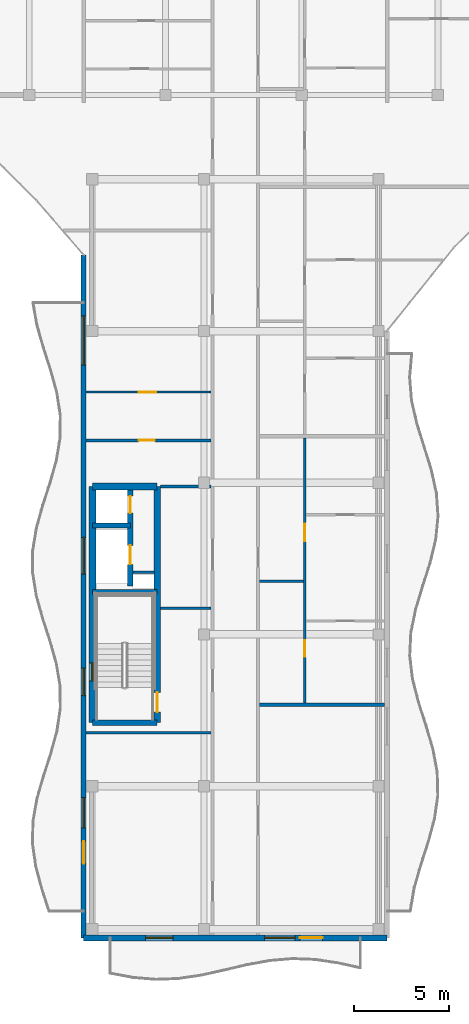
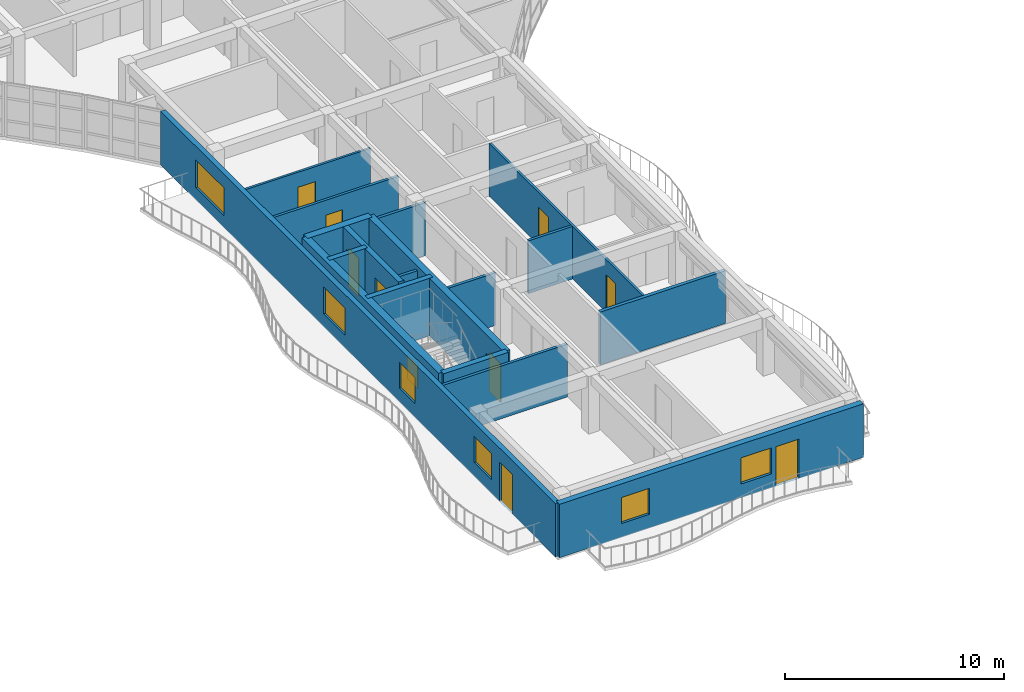
# One storey, part 38 of 76: 18 walls, 9 doors, 7 windows, 16 openings.
"""IFC4 building model written with IfcOpenShell, lengths in metres."""

from ifc_helpers import new_model, si_unit, direction, frame, frame_2d, origin, place, context, subcontext, project, spatial, rectangle, extrude, material, layer, layer_set, type_object, element, fill, save


model = new_model("IFC4")

# Units and contexts
model_context = context("Model", 3, precision=1e-05, world=origin(), true_north=direction((0.0, 1.0)))
body_context = subcontext(model_context, "Body", "Model", "MODEL_VIEW")
ifc_project = project(units=[si_unit("LENGTHUNIT", "METRE"), si_unit("AREAUNIT", "SQUARE_METRE"), si_unit("VOLUMEUNIT", "CUBIC_METRE"), si_unit("PLANEANGLEUNIT", "RADIAN"), si_unit("MASSUNIT", "GRAM", prefix="KILO")], contexts=[model_context])

# Site, building, storey
site_placement = place(None, origin())
site = spatial("IfcSite", under=ifc_project, at=site_placement, CompositionType="ELEMENT")
building_placement = place(site_placement, origin())
building = spatial("IfcBuilding", under=site, at=building_placement, Name="Keldmere Railside Commons", CompositionType="ELEMENT")
storey_placement = place(building_placement, frame((0.0, 0.0, 13.760009765625)))
storey = spatial("IfcBuildingStorey", under=building, at=storey_placement, Name="L04", CompositionType="ELEMENT", Elevation=13.760009765625)

# Wall
ifc_material_1 = material(Name="Acoustic Gypsum Board Partition", Category="gypsum")
ifc_layer_1 = layer(ifc_material_1, 0.179931640625, Name="Acoustic Demising Partition 180")
ifc_layer_set_1 = layer_set([ifc_layer_1], Name="Acoustic Gypsum Board Partition")
wall_type_1 = type_object("IfcWallType", Name="Acoustic Demising Partition 180", PredefinedType="PARTITIONING", material=ifc_layer_set_1)
wall_1_placement = place(storey_placement, frame((113.280029296875, 68.2900390625, 0.0), z_axis=(0.0, 0.0, 1.0), x_axis=(1.0, 0.0, 0.0)))
element("IfcWall", 1, at=wall_1_placement, inside=storey, type_object=wall_type_1, Name="IW-1 IW-L04-1063", PredefinedType="PARTITIONING", context=body_context, shape_type="SweptSolid", body=[
    extrude(rectangle(XDim=6.590087890625, YDim=0.179931640625, at=frame_2d((3.294921875, 0.0))), origin(), (0.0, 0.0, 1.0), 2.93505859375),
])

# Wall, openings, doors
ifc_layer_2 = layer(ifc_material_1, 0.1201171875, Name="Apartment Interior Partition 120")
ifc_layer_set_2 = layer_set([ifc_layer_2], Name="Acoustic Gypsum Board Partition")
wall_type_2 = type_object("IfcWallType", Name="Apartment Interior Partition 120", PredefinedType="PARTITIONING", material=ifc_layer_set_2)
wall_2_placement = place(storey_placement, frame((115.659912109375, 68.3798828125, 0.0), z_axis=(0.0, 0.0, 1.0), x_axis=(0.0, 1.0, 0.0)))
wall_2 = element("IfcWall", 2, at=wall_2_placement, inside=storey, type_object=wall_type_2, Name="IW-4 IW-L04-1066", PredefinedType="PARTITIONING", context=body_context, shape_type="SweptSolid", body=[
    extrude(rectangle(XDim=13.980224609375, YDim=0.1201171875, at=frame_2d((6.990234375, 0.0))), origin(), (0.0, 0.0, 1.0), 2.93505859375),
])
opening_1_placement = place(wall_2_placement, frame((2.443359375, 0.0, 0.0)))
opening_1 = element("IfcOpeningElement", 3, at=opening_1_placement, cuts=wall_2, Name="Opening ID-04", PredefinedType="OPENING", context=body_context, shape_type="SweptSolid", body=[
    extrude(rectangle(XDim=0.860107421875, YDim=2.10009765625, at=frame_2d((0.43017578125, 1.050048828125))), frame((0.0, 0.070068359375, 0.0), z_axis=(0.0, -1.0, 0.0), x_axis=(1.0, 0.0, 0.0)), (0.0, 0.0, 1.0), 0.14013671875),
])
opening_2_placement = place(wall_2_placement, frame((8.5439453125, 0.0, 0.0)))
opening_2 = element("IfcOpeningElement", 4, at=opening_2_placement, cuts=wall_2, Name="Opening ID-03", PredefinedType="OPENING", context=body_context, shape_type="SweptSolid", body=[
    extrude(rectangle(XDim=0.919921875, YDim=2.10009765625, at=frame_2d((0.4599609375, 1.050048828125))), frame((0.0, 0.070068359375, 0.0), z_axis=(0.0, -1.0, 0.0), x_axis=(1.0, 0.0, 0.0)), (0.0, 0.0, 1.0), 0.14013671875),
])
ifc_material_2 = material(Name="Engineered Oak Timber", Category="wood")
door_type_1 = type_object("IfcDoorType", Name="Apartment Bathroom Door 860x2100", OperationType="NOTDEFINED", PredefinedType="DOOR", material=ifc_material_2)
door_1_placement = place(opening_1_placement, origin())
door_1 = element("IfcDoor", 5, at=door_1_placement, inside=storey, type_object=door_type_1, Name="ID-04 IDR-L04-0930", OperationType="SINGLE_SWING_RIGHT", OverallHeight=2.10009765625, OverallWidth=0.860107421875, PredefinedType="DOOR", context=body_context, shape_type="SweptSolid", body=[
    extrude(rectangle(XDim=0.860107421875, YDim=2.10009765625, at=frame_2d((0.43017578125, 1.050048828125))), frame((0.0, 0.02490234375, 0.0), z_axis=(0.0, -1.0, 0.0), x_axis=(1.0, 0.0, 0.0)), (0.0, 0.0, 1.0), 0.050048828125),
])
fill(opening_1, door_1)
door_type_2 = type_object("IfcDoorType", Name="Kitchen Pocket-Frame Swing Door 920x2100", OperationType="NOTDEFINED", PredefinedType="DOOR", material=ifc_material_2)
door_2_placement = place(opening_2_placement, origin())
door_2 = element("IfcDoor", 6, at=door_2_placement, inside=storey, type_object=door_type_2, Name="ID-03 IDR-L04-0931", OperationType="SINGLE_SWING_LEFT", OverallHeight=2.10009765625, OverallWidth=0.919921875, PredefinedType="DOOR", context=body_context, shape_type="SweptSolid", body=[
    extrude(rectangle(XDim=0.919921875, YDim=2.10009765625, at=frame_2d((0.4599609375, 1.050048828125))), frame((0.0, 0.02490234375, 0.0), z_axis=(0.0, -1.0, 0.0), x_axis=(1.0, 0.0, 0.0)), (0.0, 0.0, 1.0), 0.050048828125),
])
fill(opening_2, door_2)

# Wall, opening, door
wall_3_placement = place(storey_placement, frame((104.1298828125, 84.780029296875, 0.0), z_axis=(0.0, 0.0, 1.0), x_axis=(1.0, 0.0, 0.0)))
wall_3 = element("IfcWall", 7, at=wall_3_placement, inside=storey, type_object=wall_type_2, Name="IW-4 IW-L04-1089", PredefinedType="PARTITIONING", context=body_context, shape_type="SweptSolid", body=[
    extrude(rectangle(XDim=6.590087890625, YDim=0.1201171875, at=frame_2d((3.294921875, 0.0))), origin(), (0.0, 0.0, 1.0), 2.93505859375),
])
opening_3_placement = place(wall_3_placement, frame((2.767822265625, 0.0, 0.0)))
opening_3 = element("IfcOpeningElement", 8, at=opening_3_placement, cuts=wall_3, Name="Opening ID-03", PredefinedType="OPENING", context=body_context, shape_type="SweptSolid", body=[
    extrude(rectangle(XDim=0.919921875, YDim=2.10009765625, at=frame_2d((0.4599609375, 1.050048828125))), frame((0.0, 0.070068359375, 0.0), z_axis=(0.0, -1.0, 0.0), x_axis=(1.0, 0.0, 0.0)), (0.0, 0.0, 1.0), 0.14013671875),
])
door_3_placement = place(opening_3_placement, origin())
door_3 = element("IfcDoor", 9, at=door_3_placement, inside=storey, type_object=door_type_2, Name="ID-03 IDR-L04-0960", OperationType="SINGLE_SWING_RIGHT", OverallHeight=2.10009765625, OverallWidth=0.919921875, PredefinedType="DOOR", context=body_context, shape_type="SweptSolid", body=[
    extrude(rectangle(XDim=0.919921875, YDim=2.10009765625, at=frame_2d((0.4599609375, 1.050048828125))), frame((0.0, 0.02490234375, 0.0), z_axis=(0.0, -1.0, 0.0), x_axis=(1.0, 0.0, 0.0)), (0.0, 0.0, 1.0), 0.050048828125),
])
fill(opening_3, door_3)

# Walls
ifc_material_3 = material(Name="Concrete H-35 (C35/45)", Category="concrete")
ifc_layer_3 = layer(ifc_material_3, 0.280029296875, Name="Core Shear Wall 280")
ifc_layer_set_3 = layer_set([ifc_layer_3], Name="Concrete H-35 (C35/45)")
wall_type_3 = type_object("IfcWallType", Name="Core Shear Wall 280", PredefinedType="SHEAR", material=ifc_layer_set_3)
wall_4_placement = place(storey_placement, frame((104.4599609375, 74.239990234375, 0.0), z_axis=(0.0, 0.0, 1.0), x_axis=(1.0, 0.0, 0.0)))
element("IfcWall", 10, at=wall_4_placement, inside=storey, type_object=wall_type_3, Name="CSW-2 COREBM-L04-0484", PredefinedType="SHEAR", context=body_context, shape_type="SweptSolid", body=[
    extrude(rectangle(XDim=3.41015625, YDim=0.280029296875, at=frame_2d((1.705078125, 0.0))), origin(), (0.0, 0.0, 1.0), 3.199951171875),
])
wall_5_placement = place(storey_placement, frame((104.4599609375, 77.75, 0.0), z_axis=(0.0, 0.0, 1.0), x_axis=(1.0, 0.0, 0.0)))
element("IfcWall", 11, at=wall_5_placement, inside=storey, type_object=wall_type_3, Name="CSW-2 COREBL-L04-0485", PredefinedType="SHEAR", context=body_context, shape_type="SweptSolid", body=[
    extrude(rectangle(XDim=2.0, YDim=0.280029296875, at=frame_2d((1.0, 0.0))), origin(), (0.0, 0.0, 1.0), 3.199951171875),
])

# Wall, openings, doors
wall_6_placement = place(storey_placement, frame((106.4599609375, 74.550048828125, 0.0), z_axis=(0.0, 0.0, 1.0), x_axis=(0.0, 1.0, 0.0)))
wall_6 = element("IfcWall", 12, at=wall_6_placement, inside=storey, type_object=wall_type_3, Name="CSW-2 LSHB-L04-0486", PredefinedType="SHEAR", context=body_context, shape_type="SweptSolid", body=[
    extrude(rectangle(XDim=5.25, YDim=0.280029296875, at=frame_2d((2.625, 0.0))), origin(), (0.0, 0.0, 1.0), 3.199951171875),
])
opening_4_placement = place(wall_6_placement, frame((1.14990234375, 0.0, 0.0)))
opening_4 = element("IfcOpeningElement", 13, at=opening_4_placement, cuts=wall_6, Name="Opening LD-1", PredefinedType="OPENING", context=body_context, shape_type="SweptSolid", body=[
    extrude(rectangle(XDim=1.0, YDim=2.14990234375, at=frame_2d((0.5, 1.074951171875))), frame((0.0, 0.14990234375, 0.0), z_axis=(0.0, -1.0, 0.0), x_axis=(1.0, 0.0, 0.0)), (0.0, 0.0, 1.0), 0.300048828125),
])
opening_5_placement = place(wall_6_placement, frame((3.85009765625, 0.0, 0.0)))
opening_5 = element("IfcOpeningElement", 14, at=opening_5_placement, cuts=wall_6, Name="Opening LD-2", PredefinedType="OPENING", context=body_context, shape_type="SweptSolid", body=[
    extrude(rectangle(XDim=0.89990234375, YDim=2.14990234375, at=frame_2d((0.449951171875, 1.074951171875))), frame((0.0, 0.14990234375, 0.0), z_axis=(0.0, -1.0, 0.0), x_axis=(1.0, 0.0, 0.0)), (0.0, 0.0, 1.0), 0.300048828125),
])
ifc_material_4 = material(Name="Steel F-24 (S235)", Category="steel")
door_type_3 = type_object("IfcDoorType", Name="Firefighting Stretcher Lift Landing Door 1000x2150", OperationType="SLIDING_TO_LEFT", PredefinedType="DOOR", material=ifc_material_4)
door_4_placement = place(opening_4_placement, origin())
door_4 = element("IfcDoor", 15, at=door_4_placement, inside=storey, type_object=door_type_3, Name="LD-1 B L04", OperationType="SLIDING_TO_LEFT", OverallHeight=2.14990234375, OverallWidth=1.0, PredefinedType="DOOR", context=body_context, shape_type="SweptSolid", body=[
    extrude(rectangle(XDim=1.0, YDim=2.14990234375, at=frame_2d((0.5, 1.074951171875))), frame((0.0, 0.02490234375, 0.0), z_axis=(0.0, -1.0, 0.0), x_axis=(1.0, 0.0, 0.0)), (0.0, 0.0, 1.0), 0.050048828125),
])
fill(opening_4, door_4)
door_type_4 = type_object("IfcDoorType", Name="Passenger Lift Sliding Landing Door 900x2150", OperationType="SLIDING_TO_RIGHT", PredefinedType="DOOR", material=ifc_material_4)
door_5_placement = place(opening_5_placement, origin())
door_5 = element("IfcDoor", 16, at=door_5_placement, inside=storey, type_object=door_type_4, Name="LD-2 B L04", OperationType="SLIDING_TO_RIGHT", OverallHeight=2.14990234375, OverallWidth=0.89990234375, PredefinedType="DOOR", context=body_context, shape_type="SweptSolid", body=[
    extrude(rectangle(XDim=0.89990234375, YDim=2.14990234375, at=frame_2d((0.449951171875, 1.074951171875))), frame((0.0, 0.02490234375, 0.0), z_axis=(0.0, -1.0, 0.0), x_axis=(1.0, 0.0, 0.0)), (0.0, 0.0, 1.0), 0.050048828125),
])
fill(opening_5, door_5)

# Wall, opening, window
ifc_material_5 = material(Name="Concrete H-40 (C40/50)", Category="concrete")
ifc_layer_4 = layer(ifc_material_5, 0.3798828125, Name="Core Shear Wall 380")
ifc_layer_set_4 = layer_set([ifc_layer_4], Name="Concrete H-40 (C40/50)")
wall_type_4 = type_object("IfcWallType", Name="Core Shear Wall 380", PredefinedType="SHEAR", material=ifc_layer_set_4)
wall_7_placement = place(storey_placement, frame((104.4599609375, 67.35009765625, 0.0), z_axis=(0.0, 0.0, 1.0), x_axis=(0.0, 1.0, 0.0)))
wall_7 = element("IfcWall", 17, at=wall_7_placement, inside=storey, type_object=wall_type_4, Name="CW-CORE COREBW-L04-0480", PredefinedType="SHEAR", context=body_context, shape_type="SweptSolid", body=[
    extrude(rectangle(XDim=12.449951171875, YDim=0.3798828125, at=frame_2d((6.22509765625, 0.0))), origin(), (0.0, 0.0, 1.0), 3.199951171875),
])
opening_6_placement = place(wall_7_placement, frame((2.199951171875, 0.0, 0.969970703125)))
opening_6 = element("IfcOpeningElement", 18, at=opening_6_placement, cuts=wall_7, Name="Opening WN-17", PredefinedType="OPENING", context=body_context, shape_type="SweptSolid", body=[
    extrude(rectangle(XDim=0.949951171875, YDim=1.25, at=frame_2d((0.47509765625, 0.625))), frame((0.0, 0.199951171875, 0.0), z_axis=(0.0, -1.0, 0.0), x_axis=(1.0, 0.0, 0.0)), (0.0, 0.0, 1.0), 0.39990234375),
])
ifc_material_6 = material(Name="Low-E Insulated Double Glazing", Category="glass")
window_type_1 = type_object("IfcWindowType", Name="Stair Core Natural Smoke-Vent Window 950x1250", PartitioningType="SINGLE_PANEL", PredefinedType="WINDOW", material=ifc_material_6)
window_1_placement = place(opening_6_placement, origin())
window_1 = element("IfcWindow", 19, at=window_1_placement, inside=storey, type_object=window_type_1, Name="WN-17 WIN-L04-0341", OverallHeight=1.25, OverallWidth=0.949951171875, PartitioningType="SINGLE_PANEL", PredefinedType="WINDOW", context=body_context, shape_type="SweptSolid", body=[
    extrude(rectangle(XDim=0.949951171875, YDim=1.25, at=frame_2d((0.47509765625, 0.625))), frame((0.0, 0.030029296875, 0.0), z_axis=(0.0, -1.0, 0.0), x_axis=(1.0, 0.0, 0.0)), (0.0, 0.0, 1.0), 0.06005859375),
])
fill(opening_6, window_1)

# Wall
wall_8_placement = place(storey_placement, frame((104.4599609375, 79.800048828125, 0.0), z_axis=(0.0, 0.0, 1.0), x_axis=(1.0, 0.0, 0.0)))
element("IfcWall", 20, at=wall_8_placement, inside=storey, type_object=wall_type_4, Name="CW-CORE COREBN-L04-0481", PredefinedType="SHEAR", context=body_context, shape_type="SweptSolid", body=[
    extrude(rectangle(XDim=3.41015625, YDim=0.3798828125, at=frame_2d((1.705078125, 0.0))), origin(), (0.0, 0.0, 1.0), 3.199951171875),
])

# Wall, openings, door, windows
ifc_layer_5 = layer(ifc_material_3, 0.320068359375, Name="Exterior Shear Wall 320")
ifc_layer_set_5 = layer_set([ifc_layer_5], Name="Concrete H-35 (C35/45)")
wall_type_5 = type_object("IfcWallType", Name="Exterior Shear Wall 320", PredefinedType="SHEAR", material=ifc_layer_set_5)
wall_9_placement = place(storey_placement, frame((120.0, 56.0, 0.0), z_axis=(0.0, 0.0, 1.0), x_axis=(-1.0, 0.0, 0.0)))
wall_9 = element("IfcWall", 21, at=wall_9_placement, inside=storey, type_object=wall_type_5, Name="ESW-2 EXTB-L04-0611", PredefinedType="SHEAR", context=body_context, shape_type="SweptSolid", body=[
    extrude(rectangle(XDim=16.0, YDim=0.320068359375, at=frame_2d((8.0, 0.0))), origin(), (0.0, 0.0, 1.0), 2.97998046875),
])
opening_7_placement = place(wall_9_placement, frame((3.39990234375, 0.0, 0.0)))
opening_7 = element("IfcOpeningElement", 22, at=opening_7_placement, cuts=wall_9, Name="Opening BD-01", PredefinedType="OPENING", context=body_context, shape_type="SweptSolid", body=[
    extrude(rectangle(XDim=1.199951171875, YDim=2.199951171875, at=frame_2d((0.60009765625, 1.10009765625))), frame((0.0, 0.169921875, 0.0), z_axis=(0.0, -1.0, 0.0), x_axis=(1.0, 0.0, 0.0)), (0.0, 0.0, 1.0), 0.340087890625),
])
opening_8_placement = place(wall_9_placement, frame((4.85009765625, 0.0, 0.77001953125)))
opening_8 = element("IfcOpeningElement", 23, at=opening_8_placement, cuts=wall_9, Name="Opening WN-04", PredefinedType="OPENING", context=body_context, shape_type="SweptSolid", body=[
    extrude(rectangle(XDim=1.60009765625, YDim=1.449951171875, at=frame_2d((0.800048828125, 0.72509765625))), frame((0.0, 0.169921875, 0.0), z_axis=(0.0, -1.0, 0.0), x_axis=(1.0, 0.0, 0.0)), (0.0, 0.0, 1.0), 0.340087890625),
])
opening_9_placement = place(wall_9_placement, frame((11.27490234375, 0.0, 0.77001953125)))
opening_9 = element("IfcOpeningElement", 24, at=opening_9_placement, cuts=wall_9, Name="Opening WN-24", PredefinedType="OPENING", context=body_context, shape_type="SweptSolid", body=[
    extrude(rectangle(XDim=1.449951171875, YDim=1.449951171875, at=frame_2d((0.72509765625, 0.72509765625))), frame((0.0, 0.169921875, 0.0), z_axis=(0.0, -1.0, 0.0), x_axis=(1.0, 0.0, 0.0)), (0.0, 0.0, 1.0), 0.340087890625),
])
ifc_material_7 = material(Name="Thermally Broken Aluminium", Category="aluminium")
door_type_5 = type_object("IfcDoorType", Name="Apartment Living Wave-Balcony Glazed Door 1200x2200", OperationType="NOTDEFINED", PredefinedType="DOOR", material=ifc_material_7)
door_6_placement = place(opening_7_placement, origin())
door_6 = element("IfcDoor", 25, at=door_6_placement, inside=storey, type_object=door_type_5, Name="BD-01 DR-L04-0152", OperationType="SINGLE_SWING_RIGHT", OverallHeight=2.199951171875, OverallWidth=1.199951171875, PredefinedType="DOOR", context=body_context, shape_type="SweptSolid", body=[
    extrude(rectangle(XDim=1.199951171875, YDim=2.199951171875, at=frame_2d((0.60009765625, 1.10009765625))), frame((0.0, 0.02490234375, 0.0), z_axis=(0.0, -1.0, 0.0), x_axis=(1.0, 0.0, 0.0)), (0.0, 0.0, 1.0), 0.050048828125),
])
fill(opening_7, door_6)
window_type_2 = type_object("IfcWindowType", Name="Living Room West Shaded Window 1600x1450", PartitioningType="SINGLE_PANEL", PredefinedType="WINDOW", material=ifc_material_6)
window_2_placement = place(opening_8_placement, origin())
window_2 = element("IfcWindow", 26, at=window_2_placement, inside=storey, type_object=window_type_2, Name="WN-04 WIN-L04-0417", OverallHeight=1.449951171875, OverallWidth=1.60009765625, PartitioningType="SINGLE_PANEL", PredefinedType="WINDOW", context=body_context, shape_type="SweptSolid", body=[
    extrude(rectangle(XDim=1.60009765625, YDim=1.449951171875, at=frame_2d((0.800048828125, 0.72509765625))), frame((0.0, 0.030029296875, 0.0), z_axis=(0.0, -1.0, 0.0), x_axis=(1.0, 0.0, 0.0)), (0.0, 0.0, 1.0), 0.06005859375),
])
fill(opening_8, window_2)
window_type_3 = type_object("IfcWindowType", Name="Setback Terrace Bedroom Window 1450x1450", PartitioningType="SINGLE_PANEL", PredefinedType="WINDOW", material=ifc_material_6)
window_3_placement = place(opening_9_placement, origin())
window_3 = element("IfcWindow", 27, at=window_3_placement, inside=storey, type_object=window_type_3, Name="WN-24 WIN-L04-0418", OverallHeight=1.449951171875, OverallWidth=1.449951171875, PartitioningType="SINGLE_PANEL", PredefinedType="WINDOW", context=body_context, shape_type="SweptSolid", body=[
    extrude(rectangle(XDim=1.449951171875, YDim=1.449951171875, at=frame_2d((0.72509765625, 0.72509765625))), frame((0.0, 0.030029296875, 0.0), z_axis=(0.0, -1.0, 0.0), x_axis=(1.0, 0.0, 0.0)), (0.0, 0.0, 1.0), 0.06005859375),
])
fill(opening_9, window_3)

# Wall
ifc_layer_6 = layer(ifc_material_3, 0.300048828125, Name="Interior Shear Wall 300")
ifc_layer_set_6 = layer_set([ifc_layer_6], Name="Concrete H-35 (C35/45)")
wall_type_6 = type_object("IfcWallType", Name="Interior Shear Wall 300", PredefinedType="SHEAR", material=ifc_layer_set_6)
wall_10_placement = place(storey_placement, frame((107.8701171875, 67.35009765625, 0.0), z_axis=(0.0, 0.0, 1.0), x_axis=(-1.0, 0.0, 0.0)))
element("IfcWall", 28, at=wall_10_placement, inside=storey, type_object=wall_type_6, Name="ISW-2 COREBS-L04-0483", PredefinedType="SHEAR", context=body_context, shape_type="SweptSolid", body=[
    extrude(rectangle(XDim=3.41015625, YDim=0.300048828125, at=frame_2d((1.705078125, 0.0))), origin(), (0.0, 0.0, 1.0), 3.199951171875),
])

# Wall, opening, door
ifc_layer_7 = layer(ifc_material_3, 0.340087890625, Name="Interior Shear Wall 340")
ifc_layer_set_7 = layer_set([ifc_layer_7], Name="Concrete H-35 (C35/45)")
wall_type_7 = type_object("IfcWallType", Name="Interior Shear Wall 340", PredefinedType="SHEAR", material=ifc_layer_set_7)
wall_11_placement = place(storey_placement, frame((107.8701171875, 79.800048828125, 0.0), z_axis=(0.0, 0.0, 1.0), x_axis=(0.0, -1.0, 0.0)))
wall_11 = element("IfcWall", 29, at=wall_11_placement, inside=storey, type_object=wall_type_7, Name="ISW-1 COREBE-L04-0482", PredefinedType="SHEAR", context=body_context, shape_type="SweptSolid", body=[
    extrude(rectangle(XDim=12.449951171875, YDim=0.340087890625, at=frame_2d((6.22509765625, 0.0))), origin(), (0.0, 0.0, 1.0), 3.199951171875),
])
opening_10_placement = place(wall_11_placement, frame((10.85009765625, 0.0, 0.0)))
opening_10 = element("IfcOpeningElement", 30, at=opening_10_placement, cuts=wall_11, Name="Opening FD-1", PredefinedType="OPENING", context=body_context, shape_type="SweptSolid", body=[
    extrude(rectangle(XDim=1.050048828125, YDim=2.14990234375, at=frame_2d((0.52490234375, 1.074951171875))), frame((0.0, 0.179931640625, 0.0), z_axis=(0.0, -1.0, 0.0), x_axis=(1.0, 0.0, 0.0)), (0.0, 0.0, 1.0), 0.360107421875),
])
door_type_6 = type_object("IfcDoorType", Name="Stair Core Fire Door 1050x2150", OperationType="NOTDEFINED", PredefinedType="DOOR", material=ifc_material_4)
door_7_placement = place(opening_10_placement, origin())
door_7 = element("IfcDoor", 31, at=door_7_placement, inside=storey, type_object=door_type_6, Name="FD-1 B1 L04", OperationType="SINGLE_SWING_LEFT", OverallHeight=2.14990234375, OverallWidth=1.050048828125, PredefinedType="DOOR", context=body_context, shape_type="SweptSolid", body=[
    extrude(rectangle(XDim=1.050048828125, YDim=2.14990234375, at=frame_2d((0.52490234375, 1.074951171875))), frame((0.0, 0.02490234375, 0.0), z_axis=(0.0, -1.0, 0.0), x_axis=(1.0, 0.0, 0.0)), (0.0, 0.0, 1.0), 0.050048828125),
])
fill(opening_10, door_7)

# Walls
ifc_layer_8 = layer(ifc_material_1, 0.14990234375, Name="Lobby Rated Partition 150")
ifc_layer_set_8 = layer_set([ifc_layer_8], Name="Acoustic Gypsum Board Partition")
wall_type_8 = type_object("IfcWallType", Name="Lobby Rated Partition 150", PredefinedType="PARTITIONING", material=ifc_layer_set_8)
wall_12_placement = place(storey_placement, frame((106.60009765625, 75.280029296875, 0.0), z_axis=(0.0, 0.0, 1.0), x_axis=(1.0, 0.0, 0.0)))
element("IfcWall", 32, at=wall_12_placement, inside=storey, type_object=wall_type_8, Name="IW-3 RSRNB-L04-0487", PredefinedType="PARTITIONING", context=body_context, shape_type="SweptSolid", body=[
    extrude(rectangle(XDim=1.1298828125, YDim=0.14990234375, at=frame_2d((0.56494140625, 0.0))), origin(), (0.0, 0.0, 1.0), 2.949951171875),
])
wall_13_placement = place(storey_placement, frame((104.1298828125, 66.820068359375, 0.0), z_axis=(0.0, 0.0, 1.0), x_axis=(1.0, 0.0, 0.0)))
element("IfcWall", 33, at=wall_13_placement, inside=storey, type_object=wall_type_8, Name="IW-3 IW-L04-1051", PredefinedType="PARTITIONING", context=body_context, shape_type="SweptSolid", body=[
    extrude(rectangle(XDim=6.590087890625, YDim=0.14990234375, at=frame_2d((3.294921875, 0.0))), origin(), (0.0, 0.0, 1.0), 2.93505859375),
])
for number, where, z_axis, x_axis, name in (
    (34, (108.0400390625, 73.3798828125, 0.0), (0.0, 0.0, 1.0), (1.0, 0.0, 0.0), "IW-3 IW-L04-1052"),
    (35, (108.0400390625, 79.800048828125, 0.0), (0.0, 0.0, 1.0), (1.0, 0.0, 0.0), "IW-3 IW-L04-1053"),
):
    element("IfcWall", number, at=place(storey_placement, frame(where, z_axis=z_axis, x_axis=x_axis)), inside=storey, type_object=wall_type_8, Name=name, PredefinedType="PARTITIONING", context=body_context, shape_type="SweptSolid", body=[
        extrude(rectangle(XDim=2.679931640625, YDim=0.14990234375, at=frame_2d((1.33984375, 0.0))), origin(), (0.0, 0.0, 1.0), 2.93505859375),
    ])

# Wall, openings, windows, door
ifc_material_8 = material(Name="Terracotta Brick Masonry", Category="masonry")
ifc_layer_9 = layer(ifc_material_8, 0.260009765625, Name="Terracotta Cavity Wall 260")
ifc_layer_set_9 = layer_set([ifc_layer_9], Name="Terracotta Brick Masonry")
wall_type_9 = type_object("IfcWallType", Name="Terracotta Cavity Wall 260", PredefinedType="SOLIDWALL", material=ifc_layer_set_9)
wall_14_placement = place(storey_placement, frame((104.0, 56.0, 0.0), z_axis=(0.0, 0.0, 1.0), x_axis=(0.0, 1.0, 0.0)))
wall_14 = element("IfcWall", 36, at=wall_14_placement, inside=storey, type_object=wall_type_9, Name="EW-1 EXTB-L04-0618", PredefinedType="SOLIDWALL", context=body_context, shape_type="SweptSolid", body=[
    extrude(rectangle(XDim=36.0, YDim=0.260009765625, at=frame_2d((18.0, 0.0))), origin(), (0.0, 0.0, 1.0), 2.97998046875),
])
opening_11_placement = place(wall_14_placement, frame((3.89990234375, 0.0, 0.0)))
opening_11 = element("IfcOpeningElement", 37, at=opening_11_placement, cuts=wall_14, Name="Opening BD-01", PredefinedType="OPENING", context=body_context, shape_type="SweptSolid", body=[
    extrude(rectangle(XDim=1.199951171875, YDim=2.199951171875, at=frame_2d((0.60009765625, 1.10009765625))), frame((0.0, 0.139892578125, 0.0), z_axis=(0.0, -1.0, 0.0), x_axis=(1.0, 0.0, 0.0)), (0.0, 0.0, 1.0), 0.280029296875),
])
opening_12_placement = place(wall_14_placement, frame((5.800048828125, 0.0, 0.77001953125)))
opening_12 = element("IfcOpeningElement", 38, at=opening_12_placement, cuts=wall_14, Name="Opening WN-04", PredefinedType="OPENING", context=body_context, shape_type="SweptSolid", body=[
    extrude(rectangle(XDim=1.60009765625, YDim=1.449951171875, at=frame_2d((0.800048828125, 0.72509765625))), frame((0.0, 0.139892578125, 0.0), z_axis=(0.0, -1.0, 0.0), x_axis=(1.0, 0.0, 0.0)), (0.0, 0.0, 1.0), 0.280029296875),
])
opening_13_placement = place(wall_14_placement, frame((12.77490234375, 0.0, 0.77001953125)))
opening_13 = element("IfcOpeningElement", 39, at=opening_13_placement, cuts=wall_14, Name="Opening WN-24", PredefinedType="OPENING", context=body_context, shape_type="SweptSolid", body=[
    extrude(rectangle(XDim=1.449951171875, YDim=1.449951171875, at=frame_2d((0.72509765625, 0.72509765625))), frame((0.0, 0.139892578125, 0.0), z_axis=(0.0, -1.0, 0.0), x_axis=(1.0, 0.0, 0.0)), (0.0, 0.0, 1.0), 0.280029296875),
])
opening_14_placement = place(wall_14_placement, frame((19.175048828125, 0.0, 0.719970703125)))
opening_14 = element("IfcOpeningElement", 40, at=opening_14_placement, cuts=wall_14, Name="Opening WN-38", PredefinedType="OPENING", context=body_context, shape_type="SweptSolid", body=[
    extrude(rectangle(XDim=1.949951171875, YDim=1.5, at=frame_2d((0.97509765625, 0.75))), frame((0.0, 0.139892578125, 0.0), z_axis=(0.0, -1.0, 0.0), x_axis=(1.0, 0.0, 0.0)), (0.0, 0.0, 1.0), 0.280029296875),
])
opening_15_placement = place(wall_14_placement, frame((30.199951171875, 0.0, 0.669921875)))
opening_15 = element("IfcOpeningElement", 41, at=opening_15_placement, cuts=wall_14, Name="Opening WN-39", PredefinedType="OPENING", context=body_context, shape_type="SweptSolid", body=[
    extrude(rectangle(XDim=2.60009765625, YDim=1.550048828125, at=frame_2d((1.300048828125, 0.77490234375))), frame((0.0, 0.139892578125, 0.0), z_axis=(0.0, -1.0, 0.0), x_axis=(1.0, 0.0, 0.0)), (0.0, 0.0, 1.0), 0.280029296875),
])
window_type_4 = type_object("IfcWindowType", Name="Adaptable Apartment Wide Window 1950x1500", PartitioningType="SINGLE_PANEL", PredefinedType="WINDOW", material=ifc_material_6)
window_4_placement = place(opening_14_placement, origin())
window_4 = element("IfcWindow", 42, at=window_4_placement, inside=storey, type_object=window_type_4, Name="WN-38 WIN-L04-0434", OverallHeight=1.5, OverallWidth=1.949951171875, PartitioningType="SINGLE_PANEL", PredefinedType="WINDOW", context=body_context, shape_type="SweptSolid", body=[
    extrude(rectangle(XDim=1.949951171875, YDim=1.5, at=frame_2d((0.97509765625, 0.75))), frame((0.0, 0.030029296875, 0.0), z_axis=(0.0, -1.0, 0.0), x_axis=(1.0, 0.0, 0.0)), (0.0, 0.0, 1.0), 0.06005859375),
])
fill(opening_14, window_4)
door_8_placement = place(opening_11_placement, origin())
door_8 = element("IfcDoor", 43, at=door_8_placement, inside=storey, type_object=door_type_5, Name="BD-01 DR-L04-0159", OperationType="SINGLE_SWING_LEFT", OverallHeight=2.199951171875, OverallWidth=1.199951171875, PredefinedType="DOOR", context=body_context, shape_type="SweptSolid", body=[
    extrude(rectangle(XDim=1.199951171875, YDim=2.199951171875, at=frame_2d((0.60009765625, 1.10009765625))), frame((0.0, 0.02490234375, 0.0), z_axis=(0.0, -1.0, 0.0), x_axis=(1.0, 0.0, 0.0)), (0.0, 0.0, 1.0), 0.050048828125),
])
fill(opening_11, door_8)
window_5_placement = place(opening_12_placement, origin())
window_5 = element("IfcWindow", 44, at=window_5_placement, inside=storey, type_object=window_type_2, Name="WN-04 WIN-L04-0432", OverallHeight=1.449951171875, OverallWidth=1.60009765625, PartitioningType="SINGLE_PANEL", PredefinedType="WINDOW", context=body_context, shape_type="SweptSolid", body=[
    extrude(rectangle(XDim=1.60009765625, YDim=1.449951171875, at=frame_2d((0.800048828125, 0.72509765625))), frame((0.0, 0.030029296875, 0.0), z_axis=(0.0, -1.0, 0.0), x_axis=(1.0, 0.0, 0.0)), (0.0, 0.0, 1.0), 0.06005859375),
])
fill(opening_12, window_5)
window_6_placement = place(opening_13_placement, origin())
window_6 = element("IfcWindow", 45, at=window_6_placement, inside=storey, type_object=window_type_3, Name="WN-24 WIN-L04-0433", OverallHeight=1.449951171875, OverallWidth=1.449951171875, PartitioningType="SINGLE_PANEL", PredefinedType="WINDOW", context=body_context, shape_type="SweptSolid", body=[
    extrude(rectangle(XDim=1.449951171875, YDim=1.449951171875, at=frame_2d((0.72509765625, 0.72509765625))), frame((0.0, 0.030029296875, 0.0), z_axis=(0.0, -1.0, 0.0), x_axis=(1.0, 0.0, 0.0)), (0.0, 0.0, 1.0), 0.06005859375),
])
fill(opening_13, window_6)
window_type_5 = type_object("IfcWindowType", Name="Three-Bed Corner Living Window 2600x1550", PartitioningType="SINGLE_PANEL", PredefinedType="WINDOW", material=ifc_material_6)
window_7_placement = place(opening_15_placement, origin())
window_7 = element("IfcWindow", 46, at=window_7_placement, inside=storey, type_object=window_type_5, Name="WN-39 WIN-L04-0435", OverallHeight=1.550048828125, OverallWidth=2.60009765625, PartitioningType="SINGLE_PANEL", PredefinedType="WINDOW", context=body_context, shape_type="SweptSolid", body=[
    extrude(rectangle(XDim=2.60009765625, YDim=1.550048828125, at=frame_2d((1.300048828125, 0.77490234375))), frame((0.0, 0.030029296875, 0.0), z_axis=(0.0, -1.0, 0.0), x_axis=(1.0, 0.0, 0.0)), (0.0, 0.0, 1.0), 0.06005859375),
])
fill(opening_15, window_7)

# Wall
ifc_layer_10 = layer(ifc_material_1, 0.139892578125, Name="Wet-Room Sanitary Partition 140")
ifc_layer_set_10 = layer_set([ifc_layer_10], Name="Acoustic Gypsum Board Partition")
wall_type_10 = type_object("IfcWallType", Name="Wet-Room Sanitary Partition 140", PredefinedType="PARTITIONING", material=ifc_layer_set_10)
wall_15_placement = place(storey_placement, frame((113.280029296875, 74.81005859375, 0.0), z_axis=(0.0, 0.0, 1.0), x_axis=(1.0, 0.0, 0.0)))
element("IfcWall", 47, at=wall_15_placement, inside=storey, type_object=wall_type_10, Name="IW-5 IW-L04-1067", PredefinedType="PARTITIONING", context=body_context, shape_type="SweptSolid", body=[
    extrude(rectangle(XDim=2.320068359375, YDim=0.139892578125, at=frame_2d((1.16015625, 0.0))), origin(), (0.0, 0.0, 1.0), 2.93505859375),
])

# Wall, opening, door
wall_16_placement = place(storey_placement, frame((104.1298828125, 82.22998046875, 0.0), z_axis=(0.0, 0.0, 1.0), x_axis=(1.0, 0.0, 0.0)))
wall_16 = element("IfcWall", 48, at=wall_16_placement, inside=storey, type_object=wall_type_10, Name="IW-5 IW-L04-1088", PredefinedType="PARTITIONING", context=body_context, shape_type="SweptSolid", body=[
    extrude(rectangle(XDim=6.590087890625, YDim=0.139892578125, at=frame_2d((3.294921875, 0.0))), origin(), (0.0, 0.0, 1.0), 2.93505859375),
])
opening_16_placement = place(wall_16_placement, frame((2.767822265625, 0.0, 0.0)))
opening_16 = element("IfcOpeningElement", 49, at=opening_16_placement, cuts=wall_16, Name="Opening ID-04", PredefinedType="OPENING", context=body_context, shape_type="SweptSolid", body=[
    extrude(rectangle(XDim=0.860107421875, YDim=2.10009765625, at=frame_2d((0.43017578125, 1.050048828125))), frame((0.0, 0.079833984375, 0.0), z_axis=(0.0, -1.0, 0.0), x_axis=(1.0, 0.0, 0.0)), (0.0, 0.0, 1.0), 0.159912109375),
])
door_9_placement = place(opening_16_placement, origin())
door_9 = element("IfcDoor", 50, at=door_9_placement, inside=storey, type_object=door_type_1, Name="ID-04 IDR-L04-0959", OperationType="SINGLE_SWING_LEFT", OverallHeight=2.10009765625, OverallWidth=0.860107421875, PredefinedType="DOOR", context=body_context, shape_type="SweptSolid", body=[
    extrude(rectangle(XDim=0.860107421875, YDim=2.10009765625, at=frame_2d((0.43017578125, 1.050048828125))), frame((0.0, 0.02490234375, 0.0), z_axis=(0.0, -1.0, 0.0), x_axis=(1.0, 0.0, 0.0)), (0.0, 0.0, 1.0), 0.050048828125),
])
fill(opening_16, door_9)

save(model, "model.ifc")
